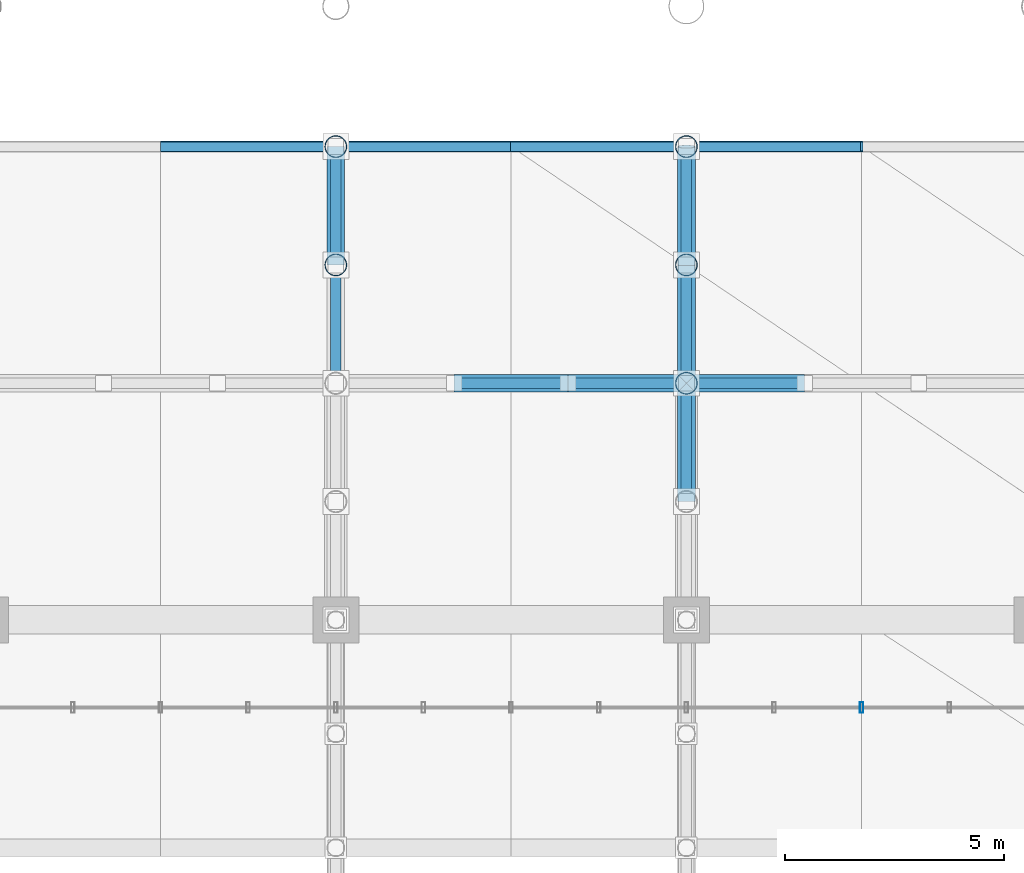
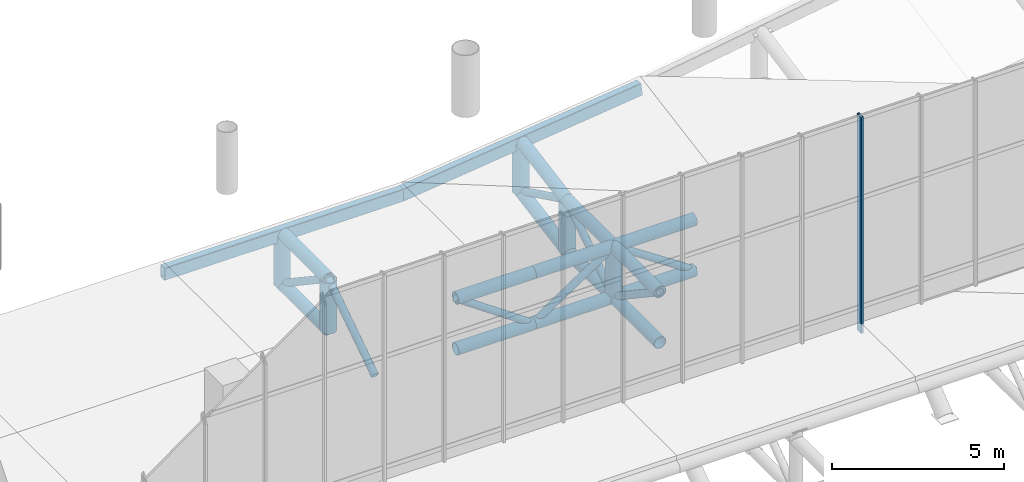
# One storey, part 54 of 137: 28 members, 2 beams, 1 element without a shape of its own.
"""IFC4 building model written with IfcOpenShell, lengths in metres."""

from ifc_helpers import new_model, si_unit, direction, frame, origin, origin_2d, place, context, subcontext, project, spatial, hollow_rectangle, hollow_circle, extrude, material, layer, layer_set, material_profile, profile_set, type_object, element, aggregate, save


model = new_model("IFC4")

# Units and contexts
model_context = context("Model", 3, precision=1e-05, world=origin(), true_north=direction((0.0, 1.0)))
body_context = subcontext(model_context, "Body", "Model", "MODEL_VIEW")
ifc_project = project(units=[si_unit("LENGTHUNIT", "METRE"), si_unit("AREAUNIT", "SQUARE_METRE"), si_unit("VOLUMEUNIT", "CUBIC_METRE"), si_unit("PLANEANGLEUNIT", "RADIAN"), si_unit("MASSUNIT", "GRAM", prefix="KILO")], contexts=[model_context])

# Site, building, storey
site_placement = place(None, origin())
site = spatial("IfcSite", under=ifc_project, at=site_placement, CompositionType="ELEMENT")
building_placement = place(site_placement, origin())
building = spatial("IfcBuilding", under=site, at=building_placement, Name="Khorjan Park Terminus", CompositionType="ELEMENT")
storey_placement = place(building_placement, frame((0.0, 0.0, 11.4)))
storey = spatial("IfcBuildingStorey", under=building, at=storey_placement, Name="L02", CompositionType="ELEMENT", Elevation=11.4)

# Members
ifc_material_1 = material(Name="Steel S355", Category="steel")
ifc_material_profile_1 = material_profile(ifc_material_1, hollow_circle(Radius=0.1222, WallThickness=0.0125, at=origin_2d()), Name="CHS 244.5x12.5")
ifc_profile_set_1 = profile_set([ifc_material_profile_1], Name="Steel S355")
member_type_1 = type_object("IfcMemberType", Name="MB-BRE-245", PredefinedType="BRACE", material=ifc_profile_set_1)
for number, where, z_axis, x_axis, name in (
    (1, (96.0, 93.4, -1.408), (0.0, 0.832050294338, 0.554700196225), (-1.0, 0.0, 0.0), "Lower shell cantilever truss diagonal (7N)"),
    (2, (96.0, 96.1, 0.392), (0.0, 0.832050294338, -0.554700196225), (-1.0, 0.0, 0.0), "Lower shell cantilever truss diagonal (7N)"),
    (3, (104.0, 90.7, 0.392), (0.0, 0.832050294338, -0.554700196225), (-1.0, 0.0, 0.0), "Lower shell cantilever truss diagonal (8N)"),
    (4, (104.0, 93.4, -1.408), (0.0, 0.832050294338, 0.554700196225), (-1.0, 0.0, 0.0), "Lower shell cantilever truss diagonal (8N)"),
):
    element("IfcMember", number, at=place(storey_placement, frame(where, z_axis=z_axis, x_axis=x_axis)), inside=storey, type_object=member_type_1, Name=name, PredefinedType="BRACE", context=body_context, shape_type="SweptSolid", body=[
        extrude(hollow_circle(Radius=0.1222, WallThickness=0.0125, at=origin_2d()), origin(), (0.0, 0.0, 1.0), 3.245),
    ])
member_1_placement = place(storey_placement, frame((104.0, 96.1, 0.392), z_axis=(0.0, 0.898489379818, -0.438995255502), x_axis=(-1.0, 0.0, 0.0)))
element("IfcMember", 5, at=member_1_placement, inside=storey, type_object=member_type_1, Name="Lower shell cantilever truss diagonal (8N)", PredefinedType="BRACE", context=body_context, shape_type="SweptSolid", body=[
    extrude(hollow_circle(Radius=0.1222, WallThickness=0.0125, at=origin_2d()), origin(), (0.0, 0.0, 1.0), 3.005),
])
member_2_placement = place(storey_placement, frame((98.7, 93.4, 0.392), z_axis=(0.822192191644, 0.0, -0.56920997883), x_axis=(0.0, 1.0, 0.0)))
element("IfcMember", 6, at=member_2_placement, inside=storey, type_object=member_type_1, Name="Lower shell mid-ring diagonal (N24)", PredefinedType="BRACE", context=body_context, shape_type="SweptSolid", body=[
    extrude(hollow_circle(Radius=0.1222, WallThickness=0.0125, at=origin_2d()), origin(), (0.0, 0.0, 1.0), 3.1623),
])
for number, where, z_axis, x_axis, name in (
    (7, (101.3, 93.4, -1.408), (0.832050294338, 0.0, 0.554700196225), (0.0, 1.0, 0.0), "Lower shell mid-ring diagonal (N25)"),
    (8, (104.0, 93.4, 0.392), (0.832050294338, 0.0, -0.554700196225), (0.0, 1.0, 0.0), "Lower shell mid-ring diagonal (N26)"),
):
    element("IfcMember", number, at=place(storey_placement, frame(where, z_axis=z_axis, x_axis=x_axis)), inside=storey, type_object=member_type_1, Name=name, PredefinedType="BRACE", context=body_context, shape_type="SweptSolid", body=[
        extrude(hollow_circle(Radius=0.1222, WallThickness=0.0125, at=origin_2d()), origin(), (0.0, 0.0, 1.0), 3.245),
    ])
ifc_material_profile_2 = material_profile(ifc_material_1, hollow_circle(Radius=0.2032, WallThickness=0.016, at=origin_2d()), Name="CHS 406.4x16")
ifc_profile_set_2 = profile_set([ifc_material_profile_2], Name="Steel S355")
member_type_2 = type_object("IfcMemberType", Name="MB-CHE-406", PredefinedType="CHORD", material=ifc_profile_set_2)
for number, where, z_axis, x_axis, name in (
    (9, (96.0, 96.1, 0.392), (0.0, 1.0, 0.0), (-1.0, 0.0, 0.0), "Lower shell cantilever truss top chord (7N)"),
    (10, (96.0, 96.1, -1.408), (0.0, 1.0, 0.0), (-1.0, 0.0, 0.0), "Lower shell cantilever truss bottom chord (7N)"),
    (11, (104.0, 90.7, 0.392), (0.0, 1.0, 0.0), (-1.0, 0.0, 0.0), "Lower shell cantilever truss top chord (8N)"),
    (12, (104.0, 90.7, -1.408), (0.0, 1.0, 0.0), (-1.0, 0.0, 0.0), "Lower shell cantilever truss bottom chord (8N)"),
    (13, (104.0, 93.4, 0.392), (0.0, 1.0, 0.0), (-1.0, 0.0, 0.0), "Lower shell cantilever truss top chord (8N)"),
    (14, (104.0, 93.4, -1.408), (0.0, 1.0, 0.0), (-1.0, 0.0, 0.0), "Lower shell cantilever truss bottom chord (8N)"),
):
    element("IfcMember", number, at=place(storey_placement, frame(where, z_axis=z_axis, x_axis=x_axis)), inside=storey, type_object=member_type_2, Name=name, PredefinedType="CHORD", context=body_context, shape_type="SweptSolid", body=[
        extrude(hollow_circle(Radius=0.2032, WallThickness=0.016, at=origin_2d()), origin(), (0.0, 0.0, 1.0), 2.7),
    ])
for number, where, z_axis, x_axis, name in (
    (15, (104.0, 96.1, 0.392), (0.0, 0.98451219689, 0.175316097876), (-1.0, 0.0, 0.0), "Lower shell cantilever truss top chord (8N)"),
    (16, (104.0, 96.1, -1.408), (0.0, 0.98451219689, 0.175316097876), (-1.0, 0.0, 0.0), "Lower shell cantilever truss bottom chord (8N)"),
):
    element("IfcMember", number, at=place(storey_placement, frame(where, z_axis=z_axis, x_axis=x_axis)), inside=storey, type_object=member_type_2, Name=name, PredefinedType="CHORD", context=body_context, shape_type="SweptSolid", body=[
        extrude(hollow_circle(Radius=0.2032, WallThickness=0.016, at=origin_2d()), origin(), (0.0, 0.0, 1.0), 2.7425),
    ])
for number, where, z_axis, x_axis, name in (
    (17, (98.7, 93.4, 0.392), (1.0, 0.0, 0.0), (0.0, 1.0, 0.0), "Lower shell mid-ring top chord (N24)"),
    (18, (98.7, 93.4, -1.408), (1.0, 0.0, 0.0), (0.0, 1.0, 0.0), "Lower shell mid-ring bottom chord (N24)"),
):
    element("IfcMember", number, at=place(storey_placement, frame(where, z_axis=z_axis, x_axis=x_axis)), inside=storey, type_object=member_type_2, Name=name, PredefinedType="CHORD", context=body_context, shape_type="SweptSolid", body=[
        extrude(hollow_circle(Radius=0.2032, WallThickness=0.016, at=origin_2d()), origin(), (0.0, 0.0, 1.0), 2.6),
    ])
for number, where, z_axis, x_axis, name in (
    (19, (101.3, 93.4, 0.392), (1.0, 0.0, 0.0), (0.0, 1.0, 0.0), "Lower shell mid-ring top chord (N25)"),
    (20, (101.3, 93.4, -1.408), (1.0, 0.0, 0.0), (0.0, 1.0, 0.0), "Lower shell mid-ring bottom chord (N25)"),
    (21, (104.0, 93.4, 0.392), (1.0, 0.0, 0.0), (0.0, 1.0, 0.0), "Lower shell mid-ring top chord (N26)"),
    (22, (104.0, 93.4, -1.408), (1.0, 0.0, 0.0), (0.0, 1.0, 0.0), "Lower shell mid-ring bottom chord (N26)"),
):
    element("IfcMember", number, at=place(storey_placement, frame(where, z_axis=z_axis, x_axis=x_axis)), inside=storey, type_object=member_type_2, Name=name, PredefinedType="CHORD", context=body_context, shape_type="SweptSolid", body=[
        extrude(hollow_circle(Radius=0.2032, WallThickness=0.016, at=origin_2d()), origin(), (0.0, 0.0, 1.0), 2.7),
    ])
ifc_material_profile_3 = material_profile(ifc_material_1, hollow_circle(Radius=0.254, WallThickness=0.02, at=origin_2d()), Name="CHS 508x20")
ifc_profile_set_3 = profile_set([ifc_material_profile_3], Name="Steel S355")
member_type_3 = type_object("IfcMemberType", Name="MB-STE-508", PredefinedType="STRUT", material=ifc_profile_set_3)
for number, where, z_axis, x_axis, name in (
    (23, (96.0, 96.1, -1.408), (0.0, 0.0, 1.0), (1.0, 0.0, 0.0), "Lower shell cantilever truss post (7N)"),
    (24, (96.0, 98.8, -1.408), (0.0, 0.0, 1.0), (1.0, 0.0, 0.0), "Lower shell cantilever truss post (7N)"),
    (25, (104.0, 93.4, -1.408), (0.0, 0.0, 1.0), (1.0, 0.0, 0.0), "Lower shell cantilever truss post (8N)"),
    (26, (104.0, 96.1, -1.408), (0.0, 0.0, 1.0), (1.0, 0.0, 0.0), "Lower shell cantilever truss post (8N)"),
    (27, (104.0, 98.8, -0.9272), (0.0, 0.0, 1.0), (1.0, 0.0, 0.0), "Lower shell cantilever truss post (8N)"),
):
    element("IfcMember", number, at=place(storey_placement, frame(where, z_axis=z_axis, x_axis=x_axis)), inside=storey, type_object=member_type_3, Name=name, PredefinedType="STRUT", context=body_context, shape_type="SweptSolid", body=[
        extrude(hollow_circle(Radius=0.254, WallThickness=0.02, at=origin_2d()), origin(), (0.0, 0.0, 1.0), 1.8),
    ])

# Curtain wall, member
ifc_material_2 = material(Name="Anodized Bronze Aluminium", Category="aluminium")
ifc_layer = layer(ifc_material_2, 0.22)
ifc_layer_set = layer_set([ifc_layer], Name="Anodized Bronze Aluminium")
curtain_wall_type = type_object("IfcCurtainWallType", Name="CW-CONC-CLR", PredefinedType="NOTDEFINED", material=ifc_layer_set)
curtain_wall_placement = place(storey_placement, origin())
curtain_wall = element("IfcCurtainWall", 28, at=curtain_wall_placement, inside=storey, type_object=curtain_wall_type, Name="Unitized curtain wall CW-CL (CW-V2-N-CLR-06)", PredefinedType="NOTDEFINED")
ifc_material_profile_4 = material_profile(ifc_material_2, hollow_rectangle(XDim=0.08, YDim=0.25, WallThickness=0.005, InnerFilletRadius=0.005, OuterFilletRadius=0.01, at=origin_2d()), Name="ALM 80x250x5")
ifc_profile_set_4 = profile_set([ifc_material_profile_4], Name="Anodized Bronze Aluminium")
member_type_4 = type_object("IfcMemberType", Name="ML-ALM-250", PredefinedType="MULLION", material=ifc_profile_set_4)
member_3_placement = place(storey_placement, frame((108.0, 86.0, 0.45), z_axis=(0.0, 0.0, 1.0), x_axis=(-1.0, 0.0, 0.0)))
member_3 = element("IfcMember", 29, at=member_3_placement, type_object=member_type_4, Name="Curtain-wall mullion ML-25 (CW-V2-N-CLR-06-1)", PredefinedType="MULLION", context=body_context, shape_type="SweptSolid", body=[
    extrude(hollow_rectangle(XDim=0.08, YDim=0.25, WallThickness=0.005, InnerFilletRadius=0.005, OuterFilletRadius=0.01, at=origin_2d()), origin(), (0.0, 0.0, 1.0), 7.6669),
])
aggregate(curtain_wall, [member_3])

# Beams
ifc_material_profile_5 = material_profile(ifc_material_1, hollow_rectangle(XDim=0.25, YDim=0.45, WallThickness=0.016, InnerFilletRadius=0.016, OuterFilletRadius=0.032, at=origin_2d()), Name="RHS 450x250x16")
ifc_profile_set_5 = profile_set([ifc_material_profile_5], Name="Steel S355")
beam_type = type_object("IfcBeamType", Name="SP-RHS450", PredefinedType="SPANDREL", material=ifc_profile_set_5)
beam_1_placement = place(storey_placement, frame((92.0, 98.8, 0.37), z_axis=(1.0, 0.0, 0.0), x_axis=(0.0, 1.0, 0.0)))
element("IfcBeam", 30, at=beam_1_placement, inside=storey, type_object=beam_type, Name="Lower wrapping shell upturned edge beam SP-R45 (25)", PredefinedType="SPANDREL", context=body_context, shape_type="SweptSolid", body=[
    extrude(hollow_rectangle(XDim=0.25, YDim=0.45, WallThickness=0.016, InnerFilletRadius=0.016, OuterFilletRadius=0.032, at=origin_2d()), origin(), (0.0, 0.0, 1.0), 8.0),
])
beam_2_placement = place(storey_placement, frame((100.0, 98.8, 0.37), z_axis=(0.992853328969, 0.0, 0.119340970142), x_axis=(0.0, 1.0, 0.0)))
element("IfcBeam", 31, at=beam_2_placement, inside=storey, type_object=beam_type, Name="Lower wrapping shell upturned edge beam SP-R45 (26)", PredefinedType="SPANDREL", context=body_context, shape_type="SweptSolid", body=[
    extrude(hollow_rectangle(XDim=0.25, YDim=0.45, WallThickness=0.016, InnerFilletRadius=0.016, OuterFilletRadius=0.032, at=origin_2d()), origin(), (0.0, 0.0, 1.0), 8.0576),
])

save(model, "model.ifc")
